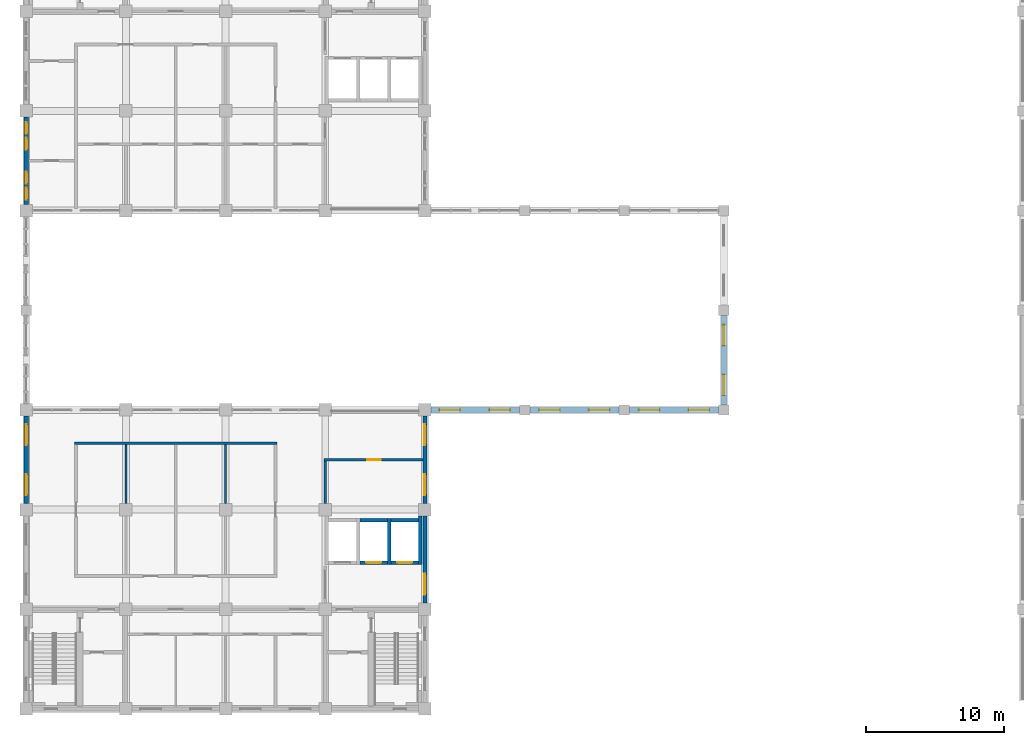
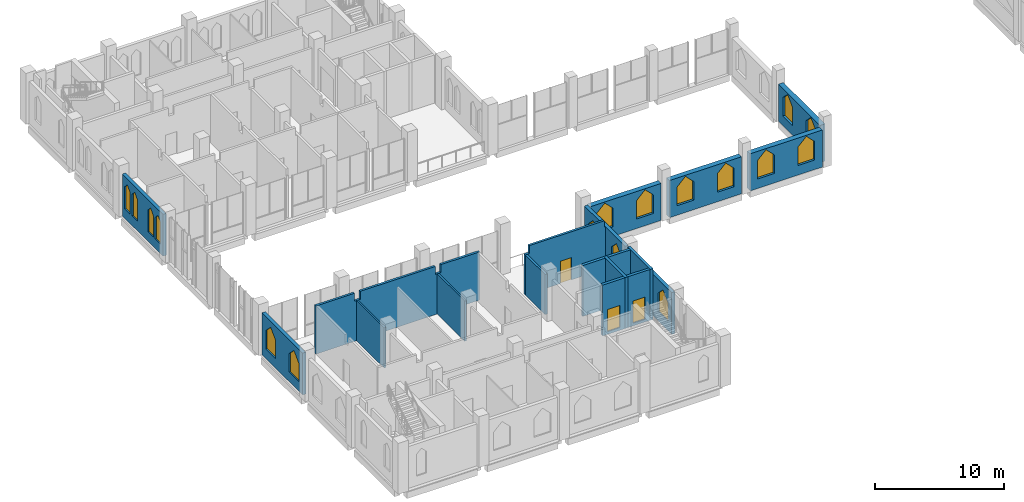
# One storey, part 29 of 39: 19 walls, 17 windows, 3 doors, 20 openings.
"""IFC4 building model written with IfcOpenShell, lengths in metres."""

from ifc_helpers import new_model, si_unit, direction, frame, frame_2d, origin, place, context, subcontext, project, spatial, polyline, rectangle, outline, extrude, material, layer, layer_set, type_object, element, fill, save


model = new_model("IFC4")

# Units and contexts
model_context = context("Model", 3, precision=1e-05, world=origin(), true_north=direction((0.0, 1.0)))
body_context = subcontext(model_context, "Body", "Model", "MODEL_VIEW")
ifc_project = project(units=[si_unit("LENGTHUNIT", "METRE"), si_unit("AREAUNIT", "SQUARE_METRE"), si_unit("VOLUMEUNIT", "CUBIC_METRE"), si_unit("PLANEANGLEUNIT", "RADIAN"), si_unit("MASSUNIT", "GRAM", prefix="KILO")], contexts=[model_context])

# Site, building, storey
site_placement = place(None, origin())
site = spatial("IfcSite", under=ifc_project, at=site_placement, CompositionType="ELEMENT")
building_placement = place(site_placement, origin())
building = spatial("IfcBuilding", under=site, at=building_placement, Name="Silangan Lancet Faculty of Sciences", CompositionType="ELEMENT")
storey_placement = place(building_placement, frame((0.0, 0.0, 26.39990234375)))
storey = spatial("IfcBuildingStorey", under=building, at=storey_placement, Name="L05", CompositionType="ELEMENT", Elevation=26.39990234375)

# Wall, openings, windows
ifc_material_1 = material(Name="Concrete C40/50 precast", Category="concrete")
ifc_layer_1 = layer(ifc_material_1, 0.300048828125)
ifc_layer_set_1 = layer_set([ifc_layer_1], Name="Concrete C40/50 precast")
wall_type_1 = type_object("IfcWallType", Name="EW1 Precast cladding wall", PredefinedType="STANDARD", material=ifc_layer_set_1)
wall_1_placement = place(storey_placement, frame((0.0, 14.85009765625, 0.0), z_axis=(0.0, 0.0, 1.0), x_axis=(0.0, 1.0, 0.0)))
wall_1 = element("IfcWall", 1, at=wall_1_placement, inside=storey, type_object=wall_type_1, Name="EW-L05-W-ST-02", PredefinedType="STANDARD", context=body_context, shape_type="SweptSolid", body=[
    extrude(rectangle(XDim=6.2998046875, YDim=0.300048828125, at=frame_2d((3.14990234375, 0.0))), origin(), (0.0, 0.0, 1.0), 3.9501953125),
])
opening_1_placement = place(wall_1_placement, frame((0.60009765625, 0.0, 0.89990234375)))
opening_1 = element("IfcOpeningElement", 2, at=opening_1_placement, cuts=wall_1, Name="Opening W12", PredefinedType="OPENING", context=body_context, shape_type="SweptSolid", body=[
    extrude(outline(polyline([(0.0, 0.0), (1.5, 0.0), (1.5, 1.75), (0.75, 2.5), (0.0, 1.75), (0.0, 0.0)])), frame((0.0, 0.159912109375, 0.0), z_axis=(0.0, -1.0, 0.0), x_axis=(1.0, 0.0, 0.0)), (0.0, 0.0, 1.0), 0.320068359375),
])
opening_2_placement = place(wall_1_placement, frame((4.199951171875, 0.0, 0.89990234375)))
opening_2 = element("IfcOpeningElement", 3, at=opening_2_placement, cuts=wall_1, Name="Opening W12", PredefinedType="OPENING", context=body_context, shape_type="SweptSolid", body=[
    extrude(outline(polyline([(0.0, 0.0), (1.5, 0.0), (1.5, 1.75), (0.75, 2.5), (0.0, 1.75), (0.0, 0.0)])), frame((0.0, 0.159912109375, 0.0), z_axis=(0.0, -1.0, 0.0), x_axis=(1.0, 0.0, 0.0)), (0.0, 0.0, 1.0), 0.320068359375),
])
ifc_material_2 = material(Name="Aluminium frame, laminated double glazing", Category="aluminium")
window_type_1 = type_object("IfcWindowType", Name="W12 Lancet window 1500 x 2500", PartitioningType="SINGLE_PANEL", PredefinedType="WINDOW", material=ifc_material_2)
window_1_placement = place(opening_1_placement, origin())
window_1 = element("IfcWindow", 4, at=window_1_placement, inside=storey, type_object=window_type_1, Name="WIN-L05-W-ST-02a", OverallHeight=2.5, OverallWidth=1.5, PartitioningType="SINGLE_PANEL", PredefinedType="WINDOW", context=body_context, shape_type="SweptSolid", body=[
    extrude(outline(polyline([(0.0, 0.0), (1.5, 0.0), (1.5, 1.75), (0.75, 2.5), (0.0, 1.75), (0.0, 0.0)])), frame((0.0, 0.030029296875, 0.0), z_axis=(0.0, -1.0, 0.0), x_axis=(1.0, 0.0, 0.0)), (0.0, 0.0, 1.0), 0.06005859375),
])
fill(opening_1, window_1)
window_2_placement = place(opening_2_placement, origin())
window_2 = element("IfcWindow", 5, at=window_2_placement, inside=storey, type_object=window_type_1, Name="WIN-L05-W-ST-02b", OverallHeight=2.5, OverallWidth=1.5, PartitioningType="SINGLE_PANEL", PredefinedType="WINDOW", context=body_context, shape_type="SweptSolid", body=[
    extrude(outline(polyline([(0.0, 0.0), (1.5, 0.0), (1.5, 1.75), (0.75, 2.5), (0.0, 1.75), (0.0, 0.0)])), frame((0.0, 0.030029296875, 0.0), z_axis=(0.0, -1.0, 0.0), x_axis=(1.0, 0.0, 0.0)), (0.0, 0.0, 1.0), 0.06005859375),
])
fill(opening_2, window_2)

wall_2_placement = place(storey_placement, frame((0.0, 36.449951171875, 0.0), z_axis=(0.0, 0.0, 1.0), x_axis=(0.0, 1.0, 0.0)))
wall_2 = element("IfcWall", 6, at=wall_2_placement, inside=storey, type_object=wall_type_1, Name="EW-L05-W-NT-00", PredefinedType="STANDARD", context=body_context, shape_type="SweptSolid", body=[
    extrude(rectangle(XDim=6.300048828125, YDim=0.300048828125, at=frame_2d((3.14990234375, 0.0))), origin(), (0.0, 0.0, 1.0), 3.9501953125),
])
opening_3_placement = place(wall_2_placement, frame((0.35009765625, 0.0, 0.89990234375)))
opening_3 = element("IfcOpeningElement", 7, at=opening_3_placement, cuts=wall_2, Name="Opening W14", PredefinedType="OPENING", context=body_context, shape_type="SweptSolid", body=[
    extrude(outline(polyline([(0.0, 0.0), (0.85009765625, 0.0), (0.85009765625, 2.050048828125), (0.425048828125, 2.5), (0.0, 2.050048828125), (0.0, 0.0)])), frame((0.0, 0.159912109375, 0.0), z_axis=(0.0, -1.0, 0.0), x_axis=(1.0, 0.0, 0.0)), (0.0, 0.0, 1.0), 0.320068359375),
])
opening_4_placement = place(wall_2_placement, frame((1.5, 0.0, 0.89990234375)))
opening_4 = element("IfcOpeningElement", 8, at=opening_4_placement, cuts=wall_2, Name="Opening W14", PredefinedType="OPENING", context=body_context, shape_type="SweptSolid", body=[
    extrude(outline(polyline([(0.0, 0.0), (0.85009765625, 0.0), (0.85009765625, 2.050048828125), (0.425048828125, 2.5), (0.0, 2.050048828125), (0.0, 0.0)])), frame((0.0, 0.159912109375, 0.0), z_axis=(0.0, -1.0, 0.0), x_axis=(1.0, 0.0, 0.0)), (0.0, 0.0, 1.0), 0.320068359375),
])
opening_5_placement = place(wall_2_placement, frame((3.949951171875, 0.0, 0.89990234375)))
opening_5 = element("IfcOpeningElement", 9, at=opening_5_placement, cuts=wall_2, Name="Opening W14", PredefinedType="OPENING", context=body_context, shape_type="SweptSolid", body=[
    extrude(outline(polyline([(0.0, 0.0), (0.85009765625, 0.0), (0.85009765625, 2.050048828125), (0.425048828125, 2.5), (0.0, 2.050048828125), (0.0, 0.0)])), frame((0.0, 0.159912109375, 0.0), z_axis=(0.0, -1.0, 0.0), x_axis=(1.0, 0.0, 0.0)), (0.0, 0.0, 1.0), 0.320068359375),
])
opening_6_placement = place(wall_2_placement, frame((5.10009765625, 0.0, 0.89990234375)))
opening_6 = element("IfcOpeningElement", 10, at=opening_6_placement, cuts=wall_2, Name="Opening W14", PredefinedType="OPENING", context=body_context, shape_type="SweptSolid", body=[
    extrude(outline(polyline([(0.0, 0.0), (0.85009765625, 0.0), (0.85009765625, 2.050048828125), (0.425048828125, 2.5), (0.0, 2.050048828125), (0.0, 0.0)])), frame((0.0, 0.159912109375, 0.0), z_axis=(0.0, -1.0, 0.0), x_axis=(1.0, 0.0, 0.0)), (0.0, 0.0, 1.0), 0.320068359375),
])
ifc_material_3 = material(Name="Aluminium frame, laminated double glazing", Category="aluminium")
window_type_2 = type_object("IfcWindowType", Name="W14 Lancet window 850 x 2500", PartitioningType="SINGLE_PANEL", PredefinedType="WINDOW", material=ifc_material_3)
window_3_placement = place(opening_3_placement, origin())
window_3 = element("IfcWindow", 11, at=window_3_placement, inside=storey, type_object=window_type_2, Name="WIN-L05-W-NT-00a1", OverallHeight=2.5, OverallWidth=0.85009765625, PartitioningType="SINGLE_PANEL", PredefinedType="WINDOW", context=body_context, shape_type="SweptSolid", body=[
    extrude(outline(polyline([(0.0, 0.0), (0.85009765625, 0.0), (0.85009765625, 2.050048828125), (0.425048828125, 2.5), (0.0, 2.050048828125), (0.0, 0.0)])), frame((0.0, 0.030029296875, 0.0), z_axis=(0.0, -1.0, 0.0), x_axis=(1.0, 0.0, 0.0)), (0.0, 0.0, 1.0), 0.06005859375),
])
fill(opening_3, window_3)
window_4_placement = place(opening_4_placement, origin())
window_4 = element("IfcWindow", 12, at=window_4_placement, inside=storey, type_object=window_type_2, Name="WIN-L05-W-NT-00a2", OverallHeight=2.5, OverallWidth=0.85009765625, PartitioningType="SINGLE_PANEL", PredefinedType="WINDOW", context=body_context, shape_type="SweptSolid", body=[
    extrude(outline(polyline([(0.0, 0.0), (0.85009765625, 0.0), (0.85009765625, 2.050048828125), (0.425048828125, 2.5), (0.0, 2.050048828125), (0.0, 0.0)])), frame((0.0, 0.030029296875, 0.0), z_axis=(0.0, -1.0, 0.0), x_axis=(1.0, 0.0, 0.0)), (0.0, 0.0, 1.0), 0.06005859375),
])
fill(opening_4, window_4)
window_5_placement = place(opening_5_placement, origin())
window_5 = element("IfcWindow", 13, at=window_5_placement, inside=storey, type_object=window_type_2, Name="WIN-L05-W-NT-00b1", OverallHeight=2.5, OverallWidth=0.85009765625, PartitioningType="SINGLE_PANEL", PredefinedType="WINDOW", context=body_context, shape_type="SweptSolid", body=[
    extrude(outline(polyline([(0.0, 0.0), (0.85009765625, 0.0), (0.85009765625, 2.050048828125), (0.425048828125, 2.5), (0.0, 2.050048828125), (0.0, 0.0)])), frame((0.0, 0.030029296875, 0.0), z_axis=(0.0, -1.0, 0.0), x_axis=(1.0, 0.0, 0.0)), (0.0, 0.0, 1.0), 0.06005859375),
])
fill(opening_5, window_5)
window_6_placement = place(opening_6_placement, origin())
window_6 = element("IfcWindow", 14, at=window_6_placement, inside=storey, type_object=window_type_2, Name="WIN-L05-W-NT-00b2", OverallHeight=2.5, OverallWidth=0.85009765625, PartitioningType="SINGLE_PANEL", PredefinedType="WINDOW", context=body_context, shape_type="SweptSolid", body=[
    extrude(outline(polyline([(0.0, 0.0), (0.85009765625, 0.0), (0.85009765625, 2.050048828125), (0.425048828125, 2.5), (0.0, 2.050048828125), (0.0, 0.0)])), frame((0.0, 0.030029296875, 0.0), z_axis=(0.0, -1.0, 0.0), x_axis=(1.0, 0.0, 0.0)), (0.0, 0.0, 1.0), 0.06005859375),
])
fill(opening_6, window_6)

# Wall, opening, window
wall_3_placement = place(storey_placement, frame((28.800048828125, 7.64990234375, 0.0), z_axis=(0.0, 0.0, 1.0), x_axis=(0.0, 1.0, 0.0)))
wall_3 = element("IfcWall", 15, at=wall_3_placement, inside=storey, type_object=wall_type_1, Name="EW-L05-E-ST-01", PredefinedType="STANDARD", context=body_context, shape_type="SweptSolid", body=[
    extrude(rectangle(XDim=6.300048828125, YDim=0.300048828125, at=frame_2d((3.14990234375, 0.0))), origin(), (0.0, 0.0, 1.0), 3.9501953125),
])
opening_7_placement = place(wall_3_placement, frame((0.60009765625, 0.0, 0.89990234375)))
opening_7 = element("IfcOpeningElement", 16, at=opening_7_placement, cuts=wall_3, Name="Opening W12", PredefinedType="OPENING", context=body_context, shape_type="SweptSolid", body=[
    extrude(outline(polyline([(0.0, 0.0), (1.5, 0.0), (1.5, 1.75), (0.75, 2.5), (0.0, 1.75), (0.0, 0.0)])), frame((0.0, 0.159912109375, 0.0), z_axis=(0.0, -1.0, 0.0), x_axis=(1.0, 0.0, 0.0)), (0.0, 0.0, 1.0), 0.320068359375),
])
window_7_placement = place(opening_7_placement, origin())
window_7 = element("IfcWindow", 17, at=window_7_placement, inside=storey, type_object=window_type_1, Name="WIN-L05-E-ST-01a", OverallHeight=2.5, OverallWidth=1.5, PartitioningType="SINGLE_PANEL", PredefinedType="WINDOW", context=body_context, shape_type="SweptSolid", body=[
    extrude(outline(polyline([(0.0, 0.0), (1.5, 0.0), (1.5, 1.75), (0.75, 2.5), (0.0, 1.75), (0.0, 0.0)])), frame((0.0, 0.030029296875, 0.0), z_axis=(0.0, -1.0, 0.0), x_axis=(1.0, 0.0, 0.0)), (0.0, 0.0, 1.0), 0.06005859375),
])
fill(opening_7, window_7)

# Wall, openings, windows
wall_4_placement = place(storey_placement, frame((28.800048828125, 14.85009765625, 0.0), z_axis=(0.0, 0.0, 1.0), x_axis=(0.0, 1.0, 0.0)))
wall_4 = element("IfcWall", 18, at=wall_4_placement, inside=storey, type_object=wall_type_1, Name="EW-L05-E-ST-02", PredefinedType="STANDARD", context=body_context, shape_type="SweptSolid", body=[
    extrude(rectangle(XDim=6.2998046875, YDim=0.300048828125, at=frame_2d((3.14990234375, 0.0))), origin(), (0.0, 0.0, 1.0), 3.9501953125),
])
opening_8_placement = place(wall_4_placement, frame((0.60009765625, 0.0, 0.89990234375)))
opening_8 = element("IfcOpeningElement", 19, at=opening_8_placement, cuts=wall_4, Name="Opening W12", PredefinedType="OPENING", context=body_context, shape_type="SweptSolid", body=[
    extrude(outline(polyline([(0.0, 0.0), (1.5, 0.0), (1.5, 1.75), (0.75, 2.5), (0.0, 1.75), (0.0, 0.0)])), frame((0.0, 0.159912109375, 0.0), z_axis=(0.0, -1.0, 0.0), x_axis=(1.0, 0.0, 0.0)), (0.0, 0.0, 1.0), 0.320068359375),
])
opening_9_placement = place(wall_4_placement, frame((4.199951171875, 0.0, 0.89990234375)))
opening_9 = element("IfcOpeningElement", 20, at=opening_9_placement, cuts=wall_4, Name="Opening W12", PredefinedType="OPENING", context=body_context, shape_type="SweptSolid", body=[
    extrude(outline(polyline([(0.0, 0.0), (1.5, 0.0), (1.5, 1.75), (0.75, 2.5), (0.0, 1.75), (0.0, 0.0)])), frame((0.0, 0.159912109375, 0.0), z_axis=(0.0, -1.0, 0.0), x_axis=(1.0, 0.0, 0.0)), (0.0, 0.0, 1.0), 0.320068359375),
])
window_8_placement = place(opening_8_placement, origin())
window_8 = element("IfcWindow", 21, at=window_8_placement, inside=storey, type_object=window_type_1, Name="WIN-L05-E-ST-02a", OverallHeight=2.5, OverallWidth=1.5, PartitioningType="SINGLE_PANEL", PredefinedType="WINDOW", context=body_context, shape_type="SweptSolid", body=[
    extrude(outline(polyline([(0.0, 0.0), (1.5, 0.0), (1.5, 1.75), (0.75, 2.5), (0.0, 1.75), (0.0, 0.0)])), frame((0.0, 0.030029296875, 0.0), z_axis=(0.0, -1.0, 0.0), x_axis=(1.0, 0.0, 0.0)), (0.0, 0.0, 1.0), 0.06005859375),
])
fill(opening_8, window_8)
window_9_placement = place(opening_9_placement, origin())
window_9 = element("IfcWindow", 22, at=window_9_placement, inside=storey, type_object=window_type_1, Name="WIN-L05-E-ST-02b", OverallHeight=2.5, OverallWidth=1.5, PartitioningType="SINGLE_PANEL", PredefinedType="WINDOW", context=body_context, shape_type="SweptSolid", body=[
    extrude(outline(polyline([(0.0, 0.0), (1.5, 0.0), (1.5, 1.75), (0.75, 2.5), (0.0, 1.75), (0.0, 0.0)])), frame((0.0, 0.030029296875, 0.0), z_axis=(0.0, -1.0, 0.0), x_axis=(1.0, 0.0, 0.0)), (0.0, 0.0, 1.0), 0.06005859375),
])
fill(opening_9, window_9)

ifc_material_4 = material(Name="Concrete C40/50", Category="concrete")
ifc_layer_2 = layer(ifc_material_4, 0.449951171875)
ifc_layer_set_2 = layer_set([ifc_layer_2], Name="Concrete C40/50")
wall_type_2 = type_object("IfcWallType", Name="EW8 Clerestory wall with deep reveals", PredefinedType="STANDARD", material=ifc_layer_set_2)
wall_5_placement = place(storey_placement, frame((29.25, 21.60009765625, 0.0), z_axis=(0.0, 0.0, 1.0), x_axis=(1.0, 0.0, 0.0)))
wall_5 = element("IfcWall", 23, at=wall_5_placement, inside=storey, type_object=wall_type_2, Name="EW-L05-S-NAVE-CL-00", PredefinedType="STANDARD", context=body_context, shape_type="SweptSolid", body=[
    extrude(rectangle(XDim=6.375, YDim=0.449951171875, at=frame_2d((3.1875, 0.0))), origin(), (0.0, 0.0, 1.0), 3.5),
])
opening_10_placement = place(wall_5_placement, frame((0.60009765625, 0.0, 0.89990234375)))
opening_10 = element("IfcOpeningElement", 24, at=opening_10_placement, cuts=wall_5, Name="Opening W12", PredefinedType="OPENING", context=body_context, shape_type="SweptSolid", body=[
    extrude(outline(polyline([(0.0, 0.0), (1.5, 0.0), (1.5, 1.75), (0.75, 2.5), (0.0, 1.75), (0.0, 0.0)])), frame((0.0, 0.23486328125, 0.0), z_axis=(0.0, -1.0, 0.0), x_axis=(1.0, 0.0, 0.0)), (0.0, 0.0, 1.0), 0.469970703125),
])
opening_11_placement = place(wall_5_placement, frame((4.199951171875, 0.0, 0.89990234375)))
opening_11 = element("IfcOpeningElement", 25, at=opening_11_placement, cuts=wall_5, Name="Opening W13", PredefinedType="OPENING", context=body_context, shape_type="SweptSolid", body=[
    extrude(outline(polyline([(0.0, 0.0), (1.5, 0.0), (1.5, 1.75), (0.75, 2.5), (0.0, 1.75), (0.0, 0.0)])), frame((0.0, 0.23486328125, 0.0), z_axis=(0.0, -1.0, 0.0), x_axis=(1.0, 0.0, 0.0)), (0.0, 0.0, 1.0), 0.469970703125),
])
window_10_placement = place(opening_10_placement, origin())
window_10 = element("IfcWindow", 26, at=window_10_placement, inside=storey, type_object=window_type_1, Name="WIN-L05-S-NAVE-CL-00a", OverallHeight=2.5, OverallWidth=1.5, PartitioningType="SINGLE_PANEL", PredefinedType="WINDOW", context=body_context, shape_type="SweptSolid", body=[
    extrude(outline(polyline([(0.0, 0.0), (1.5, 0.0), (1.5, 1.75), (0.75, 2.5), (0.0, 1.75), (0.0, 0.0)])), frame((0.0, 0.030029296875, 0.0), z_axis=(0.0, -1.0, 0.0), x_axis=(1.0, 0.0, 0.0)), (0.0, 0.0, 1.0), 0.06005859375),
])
fill(opening_10, window_10)
ifc_material_5 = material(Name="Aluminium storm louvre blades", Category="aluminium")
window_type_3 = type_object("IfcWindowType", Name="W13 Storm louvre lancet 1500 x 2500", PartitioningType="SINGLE_PANEL", PredefinedType="WINDOW", material=ifc_material_5)
window_11_placement = place(opening_11_placement, origin())
window_11 = element("IfcWindow", 27, at=window_11_placement, inside=storey, type_object=window_type_3, Name="WIN-L05-S-NAVE-CL-00b", OverallHeight=2.5, OverallWidth=1.5, PartitioningType="SINGLE_PANEL", PredefinedType="WINDOW", context=body_context, shape_type="SweptSolid", body=[
    extrude(outline(polyline([(0.0, 0.0), (1.5, 0.0), (1.5, 1.75), (0.75, 2.5), (0.0, 1.75), (0.0, 0.0)])), frame((0.0, 0.030029296875, 0.0), z_axis=(0.0, -1.0, 0.0), x_axis=(1.0, 0.0, 0.0)), (0.0, 0.0, 1.0), 0.06005859375),
])
fill(opening_11, window_11)

wall_6_placement = place(storey_placement, frame((36.375, 21.60009765625, 0.0), z_axis=(0.0, 0.0, 1.0), x_axis=(1.0, 0.0, 0.0)))
wall_6 = element("IfcWall", 28, at=wall_6_placement, inside=storey, type_object=wall_type_2, Name="EW-L05-S-NAVE-CL-01", PredefinedType="STANDARD", context=body_context, shape_type="SweptSolid", body=[
    extrude(rectangle(XDim=6.449951171875, YDim=0.449951171875, at=frame_2d((3.22509765625, 0.0))), origin(), (0.0, 0.0, 1.0), 3.5),
])
opening_12_placement = place(wall_6_placement, frame((0.675048828125, 0.0, 0.89990234375)))
opening_12 = element("IfcOpeningElement", 29, at=opening_12_placement, cuts=wall_6, Name="Opening W12", PredefinedType="OPENING", context=body_context, shape_type="SweptSolid", body=[
    extrude(outline(polyline([(0.0, 0.0), (1.5, 0.0), (1.5, 1.75), (0.75, 2.5), (0.0, 1.75), (0.0, 0.0)])), frame((0.0, 0.23486328125, 0.0), z_axis=(0.0, -1.0, 0.0), x_axis=(1.0, 0.0, 0.0)), (0.0, 0.0, 1.0), 0.469970703125),
])
opening_13_placement = place(wall_6_placement, frame((4.27490234375, 0.0, 0.89990234375)))
opening_13 = element("IfcOpeningElement", 30, at=opening_13_placement, cuts=wall_6, Name="Opening W13", PredefinedType="OPENING", context=body_context, shape_type="SweptSolid", body=[
    extrude(outline(polyline([(0.0, 0.0), (1.5, 0.0), (1.5, 1.75), (0.75, 2.5), (0.0, 1.75), (0.0, 0.0)])), frame((0.0, 0.23486328125, 0.0), z_axis=(0.0, -1.0, 0.0), x_axis=(1.0, 0.0, 0.0)), (0.0, 0.0, 1.0), 0.469970703125),
])
window_12_placement = place(opening_12_placement, origin())
window_12 = element("IfcWindow", 31, at=window_12_placement, inside=storey, type_object=window_type_1, Name="WIN-L05-S-NAVE-CL-01a", OverallHeight=2.5, OverallWidth=1.5, PartitioningType="SINGLE_PANEL", PredefinedType="WINDOW", context=body_context, shape_type="SweptSolid", body=[
    extrude(outline(polyline([(0.0, 0.0), (1.5, 0.0), (1.5, 1.75), (0.75, 2.5), (0.0, 1.75), (0.0, 0.0)])), frame((0.0, 0.030029296875, 0.0), z_axis=(0.0, -1.0, 0.0), x_axis=(1.0, 0.0, 0.0)), (0.0, 0.0, 1.0), 0.06005859375),
])
fill(opening_12, window_12)
window_13_placement = place(opening_13_placement, origin())
window_13 = element("IfcWindow", 32, at=window_13_placement, inside=storey, type_object=window_type_3, Name="WIN-L05-S-NAVE-CL-01b", OverallHeight=2.5, OverallWidth=1.5, PartitioningType="SINGLE_PANEL", PredefinedType="WINDOW", context=body_context, shape_type="SweptSolid", body=[
    extrude(outline(polyline([(0.0, 0.0), (1.5, 0.0), (1.5, 1.75), (0.75, 2.5), (0.0, 1.75), (0.0, 0.0)])), frame((0.0, 0.030029296875, 0.0), z_axis=(0.0, -1.0, 0.0), x_axis=(1.0, 0.0, 0.0)), (0.0, 0.0, 1.0), 0.06005859375),
])
fill(opening_13, window_13)

wall_7_placement = place(storey_placement, frame((43.574951171875, 21.60009765625, 0.0), z_axis=(0.0, 0.0, 1.0), x_axis=(1.0, 0.0, 0.0)))
wall_7 = element("IfcWall", 33, at=wall_7_placement, inside=storey, type_object=wall_type_2, Name="EW-L05-S-NAVE-CL-02", PredefinedType="STANDARD", context=body_context, shape_type="SweptSolid", body=[
    extrude(rectangle(XDim=6.449951171875, YDim=0.449951171875, at=frame_2d((3.22509765625, 0.0))), origin(), (0.0, 0.0, 1.0), 3.5),
])
opening_14_placement = place(wall_7_placement, frame((0.675048828125, 0.0, 0.89990234375)))
opening_14 = element("IfcOpeningElement", 34, at=opening_14_placement, cuts=wall_7, Name="Opening W12", PredefinedType="OPENING", context=body_context, shape_type="SweptSolid", body=[
    extrude(outline(polyline([(0.0, 0.0), (1.5, 0.0), (1.5, 1.75), (0.75, 2.5), (0.0, 1.75), (0.0, 0.0)])), frame((0.0, 0.23486328125, 0.0), z_axis=(0.0, -1.0, 0.0), x_axis=(1.0, 0.0, 0.0)), (0.0, 0.0, 1.0), 0.469970703125),
])
opening_15_placement = place(wall_7_placement, frame((4.27490234375, 0.0, 0.89990234375)))
opening_15 = element("IfcOpeningElement", 35, at=opening_15_placement, cuts=wall_7, Name="Opening W13", PredefinedType="OPENING", context=body_context, shape_type="SweptSolid", body=[
    extrude(outline(polyline([(0.0, 0.0), (1.5, 0.0), (1.5, 1.75), (0.75, 2.5), (0.0, 1.75), (0.0, 0.0)])), frame((0.0, 0.23486328125, 0.0), z_axis=(0.0, -1.0, 0.0), x_axis=(1.0, 0.0, 0.0)), (0.0, 0.0, 1.0), 0.469970703125),
])
window_14_placement = place(opening_14_placement, origin())
window_14 = element("IfcWindow", 36, at=window_14_placement, inside=storey, type_object=window_type_1, Name="WIN-L05-S-NAVE-CL-02a", OverallHeight=2.5, OverallWidth=1.5, PartitioningType="SINGLE_PANEL", PredefinedType="WINDOW", context=body_context, shape_type="SweptSolid", body=[
    extrude(outline(polyline([(0.0, 0.0), (1.5, 0.0), (1.5, 1.75), (0.75, 2.5), (0.0, 1.75), (0.0, 0.0)])), frame((0.0, 0.030029296875, 0.0), z_axis=(0.0, -1.0, 0.0), x_axis=(1.0, 0.0, 0.0)), (0.0, 0.0, 1.0), 0.06005859375),
])
fill(opening_14, window_14)
window_15_placement = place(opening_15_placement, origin())
window_15 = element("IfcWindow", 37, at=window_15_placement, inside=storey, type_object=window_type_3, Name="WIN-L05-S-NAVE-CL-02b", OverallHeight=2.5, OverallWidth=1.5, PartitioningType="SINGLE_PANEL", PredefinedType="WINDOW", context=body_context, shape_type="SweptSolid", body=[
    extrude(outline(polyline([(0.0, 0.0), (1.5, 0.0), (1.5, 1.75), (0.75, 2.5), (0.0, 1.75), (0.0, 0.0)])), frame((0.0, 0.030029296875, 0.0), z_axis=(0.0, -1.0, 0.0), x_axis=(1.0, 0.0, 0.0)), (0.0, 0.0, 1.0), 0.06005859375),
])
fill(opening_15, window_15)

wall_8_placement = place(storey_placement, frame((50.39990234375, 21.97509765625, 0.0), z_axis=(0.0, 0.0, 1.0), x_axis=(0.0, 1.0, 0.0)))
wall_8 = element("IfcWall", 38, at=wall_8_placement, inside=storey, type_object=wall_type_2, Name="EW-L05-E-NAVE-00", PredefinedType="STANDARD", context=body_context, shape_type="SweptSolid", body=[
    extrude(rectangle(XDim=6.449951171875, YDim=0.449951171875, at=frame_2d((3.22509765625, 0.0))), origin(), (0.0, 0.0, 1.0), 3.5),
])
opening_16_placement = place(wall_8_placement, frame((0.675048828125, 0.0, 0.89990234375)))
opening_16 = element("IfcOpeningElement", 39, at=opening_16_placement, cuts=wall_8, Name="Opening W12", PredefinedType="OPENING", context=body_context, shape_type="SweptSolid", body=[
    extrude(outline(polyline([(0.0, 0.0), (1.5, 0.0), (1.5, 1.75), (0.75, 2.5), (0.0, 1.75), (0.0, 0.0)])), frame((0.0, 0.23486328125, 0.0), z_axis=(0.0, -1.0, 0.0), x_axis=(1.0, 0.0, 0.0)), (0.0, 0.0, 1.0), 0.469970703125),
])
opening_17_placement = place(wall_8_placement, frame((4.27490234375, 0.0, 0.89990234375)))
opening_17 = element("IfcOpeningElement", 40, at=opening_17_placement, cuts=wall_8, Name="Opening W13", PredefinedType="OPENING", context=body_context, shape_type="SweptSolid", body=[
    extrude(outline(polyline([(0.0, 0.0), (1.5, 0.0), (1.5, 1.75), (0.75, 2.5), (0.0, 1.75), (0.0, 0.0)])), frame((0.0, 0.23486328125, 0.0), z_axis=(0.0, -1.0, 0.0), x_axis=(1.0, 0.0, 0.0)), (0.0, 0.0, 1.0), 0.469970703125),
])
window_16_placement = place(opening_16_placement, origin())
window_16 = element("IfcWindow", 41, at=window_16_placement, inside=storey, type_object=window_type_1, Name="WIN-L05-E-NAVE-00a", OverallHeight=2.5, OverallWidth=1.5, PartitioningType="SINGLE_PANEL", PredefinedType="WINDOW", context=body_context, shape_type="SweptSolid", body=[
    extrude(outline(polyline([(0.0, 0.0), (1.5, 0.0), (1.5, 1.75), (0.75, 2.5), (0.0, 1.75), (0.0, 0.0)])), frame((0.0, 0.030029296875, 0.0), z_axis=(0.0, -1.0, 0.0), x_axis=(1.0, 0.0, 0.0)), (0.0, 0.0, 1.0), 0.06005859375),
])
fill(opening_16, window_16)
window_17_placement = place(opening_17_placement, origin())
window_17 = element("IfcWindow", 42, at=window_17_placement, inside=storey, type_object=window_type_3, Name="WIN-L05-E-NAVE-00b", OverallHeight=2.5, OverallWidth=1.5, PartitioningType="SINGLE_PANEL", PredefinedType="WINDOW", context=body_context, shape_type="SweptSolid", body=[
    extrude(outline(polyline([(0.0, 0.0), (1.5, 0.0), (1.5, 1.75), (0.75, 2.5), (0.0, 1.75), (0.0, 0.0)])), frame((0.0, 0.030029296875, 0.0), z_axis=(0.0, -1.0, 0.0), x_axis=(1.0, 0.0, 0.0)), (0.0, 0.0, 1.0), 0.06005859375),
])
fill(opening_17, window_17)

# Wall, opening, door
ifc_material_6 = material(Name="Hollow block masonry fm 7 MPa", Category="masonry")
ifc_layer_3 = layer(ifc_material_6, 0.199951171875)
ifc_layer_set_3 = layer_set([ifc_layer_3], Name="Hollow block masonry fm 7 MPa")
wall_type_3 = type_object("IfcWallType", Name="Interior wall PW1 Corridor wall CHB 200", PredefinedType="PARTITIONING", material=ifc_layer_set_3)
wall_9_placement = place(storey_placement, frame((21.5, 18.0, 0.0), z_axis=(0.0, 0.0, 1.0), x_axis=(1.0, 0.0, 0.0)))
wall_9 = element("IfcWall", 43, at=wall_9_placement, inside=storey, type_object=wall_type_3, Name="Corridor wall CHB 200", PredefinedType="PARTITIONING", context=body_context, shape_type="SweptSolid", body=[
    extrude(outline(polyline([(0.0, 0.0), (7.14990234375, 0.0), (7.14990234375, 3.9501953125), (7.050048828125, 3.9501953125), (7.050048828125, 4.550048828125), (0.35009765625, 4.550048828125), (0.35009765625, 3.800048828125), (0.0, 3.800048828125), (0.0, 0.0)])), frame((0.0, 0.10009765625, 0.0), z_axis=(0.0, -1.0, 0.0), x_axis=(1.0, 0.0, 0.0)), (0.0, 0.0, 1.0), 0.199951171875),
])
opening_18_placement = place(wall_9_placement, frame((3.125, 0.0, 0.0)))
opening_18 = element("IfcOpeningElement", 44, at=opening_18_placement, cuts=wall_9, Name="Opening L05-017", PredefinedType="OPENING", context=body_context, shape_type="SweptSolid", body=[
    extrude(rectangle(XDim=1.0, YDim=2.10009765625, at=frame_2d((0.5, 1.050048828125))), frame((0.0, 0.10986328125, 0.0), z_axis=(0.0, -1.0, 0.0), x_axis=(1.0, 0.0, 0.0)), (0.0, 0.0, 1.0), 0.219970703125),
])
ifc_material_7 = material(Name="Steel fire door set", Category="steel")
door_type_1 = type_object("IfcDoorType", Name="Door D1 Single leaf fire door 1000 x 2100", OperationType="SINGLE_SWING_LEFT", PredefinedType="DOOR", material=ifc_material_7)
door_1_placement = place(opening_18_placement, frame((1.0, 0.0, 0.0), z_axis=(0.0, 0.0, 1.0), x_axis=(-1.0, 0.0, 0.0)))
door_1 = element("IfcDoor", 45, at=door_1_placement, inside=storey, type_object=door_type_1, Name="Single leaf fire door 1000 x 2100", OperationType="SINGLE_SWING_LEFT", OverallHeight=2.10009765625, OverallWidth=1.0, PredefinedType="DOOR", context=body_context, shape_type="SweptSolid", body=[
    extrude(rectangle(XDim=1.0, YDim=2.10009765625, at=frame_2d((0.5, 1.050048828125))), frame((0.0, 0.025146484375, 0.0), z_axis=(0.0, -1.0, 0.0), x_axis=(1.0, 0.0, 0.0)), (0.0, 0.0, 1.0), 0.050048828125),
])
fill(opening_18, door_1)

# Walls
wall_10_placement = place(storey_placement, frame((3.5, 19.199951171875, 0.0), z_axis=(0.0, 0.0, 1.0), x_axis=(1.0, 0.0, 0.0)))
element("IfcWall", 46, at=wall_10_placement, inside=storey, type_object=wall_type_3, Name="Corridor wall CHB 200", PredefinedType="PARTITIONING", context=body_context, shape_type="SweptSolid", body=[
    extrude(outline(polyline([(0.0, 0.0), (14.60009765625, 0.0), (14.60009765625, 4.550048828125), (11.14990234375, 4.550048828125), (11.14990234375, 3.800048828125), (10.64990234375, 3.800048828125), (10.64990234375, 4.550048828125), (3.949951171875, 4.550048828125), (3.949951171875, 3.800048828125), (3.449951171875, 3.800048828125), (3.449951171875, 4.550048828125), (0.0, 4.550048828125), (0.0, 0.0)])), frame((0.0, 0.10009765625, 0.0), z_axis=(0.0, -1.0, 0.0), x_axis=(1.0, 0.0, 0.0)), (0.0, 0.0, 1.0), 0.199951171875),
])
wall_11_placement = place(storey_placement, frame((21.60009765625, 14.85009765625, 0.0), z_axis=(0.0, 0.0, 1.0), x_axis=(0.0, 1.0, 0.0)))
element("IfcWall", 47, at=wall_11_placement, inside=storey, type_object=wall_type_3, Name="Corridor wall CHB 200", PredefinedType="PARTITIONING", context=body_context, shape_type="SweptSolid", body=[
    extrude(rectangle(XDim=3.0498046875, YDim=0.199951171875, at=frame_2d((1.52490234375, 0.0))), origin(), (0.0, 0.0, 1.0), 3.800048828125),
])
ifc_material_8 = material(Name="Hollow block masonry fm 7 MPa", Category="masonry")
ifc_layer_4 = layer(ifc_material_8, 0.14990234375)
ifc_layer_set_4 = layer_set([ifc_layer_4], Name="Hollow block masonry fm 7 MPa")
wall_type_4 = type_object("IfcWallType", Name="Interior wall PW3 Partition CHB 150", PredefinedType="PARTITIONING", material=ifc_layer_set_4)
for number, where, z_axis, x_axis, name in (
    (48, (7.199951171875, 14.85009765625, 0.0), (0.0, 0.0, 1.0), (0.0, 1.0, 0.0), "Partition CHB 150"),
    (49, (14.39990234375, 14.85009765625, 0.0), (0.0, 0.0, 1.0), (0.0, 1.0, 0.0), "Partition CHB 150"),
):
    element("IfcWall", number, at=place(storey_placement, frame(where, z_axis=z_axis, x_axis=x_axis)), inside=storey, type_object=wall_type_4, Name=name, PredefinedType="PARTITIONING", context=body_context, shape_type="SweptSolid", body=[
        extrude(rectangle(XDim=4.25, YDim=0.14990234375, at=frame_2d((2.125, 0.0))), origin(), (0.0, 0.0, 1.0), 3.800048828125),
    ])
ifc_material_9 = material(Name="Concrete C40/50", Category="concrete")
ifc_layer_5 = layer(ifc_material_9, 0.25)
ifc_layer_set_5 = layer_set([ifc_layer_5], Name="Concrete C40/50")
wall_type_5 = type_object("IfcWallType", Name="LIFT SHAFT WALL RC 250", PredefinedType="SHEAR", material=ifc_layer_set_5)
wall_12_placement = place(storey_placement, frame((26.22509765625, 10.449951171875, -0.25), z_axis=(0.0, 0.0, 1.0), x_axis=(0.0, 1.0, 0.0)))
element("IfcWall", 50, at=wall_12_placement, inside=storey, type_object=wall_type_5, Name="WALL-L05-ST-SW3", PredefinedType="SHEAR", context=body_context, shape_type="SweptSolid", body=[
    extrude(rectangle(XDim=3.300048828125, YDim=0.25, at=frame_2d((1.64990234375, 0.0))), origin(), (0.0, 0.0, 1.0), 4.800048828125),
])
wall_13_placement = place(storey_placement, frame((28.47509765625, 10.449951171875, -0.25), z_axis=(0.0, 0.0, 1.0), x_axis=(0.0, 1.0, 0.0)))
element("IfcWall", 51, at=wall_13_placement, inside=storey, type_object=wall_type_5, Name="WALL-L05-ST-SW4", PredefinedType="SHEAR", context=body_context, shape_type="SweptSolid", body=[
    extrude(rectangle(XDim=3.5, YDim=0.25, at=frame_2d((1.75, 0.0))), origin(), (0.0, 0.0, 1.0), 4.800048828125),
])

# Wall, opening, door
wall_14_placement = place(storey_placement, frame((24.10009765625, 10.574951171875, -0.25), z_axis=(0.0, 0.0, 1.0), x_axis=(1.0, 0.0, 0.0)))
wall_14 = element("IfcWall", 52, at=wall_14_placement, inside=storey, type_object=wall_type_5, Name="WALL-L05-ST-L2-F", PredefinedType="SHEAR", context=body_context, shape_type="SweptSolid", body=[
    extrude(rectangle(XDim=2.0, YDim=0.25, at=frame_2d((1.0, 0.0))), origin(), (0.0, 0.0, 1.0), 4.800048828125),
])
opening_19_placement = place(wall_14_placement, frame((0.449951171875, 0.0, 0.25)))
opening_19 = element("IfcOpeningElement", 53, at=opening_19_placement, cuts=wall_14, Name="Opening L05-808", PredefinedType="OPENING", context=body_context, shape_type="SweptSolid", body=[
    extrude(rectangle(XDim=1.10009765625, YDim=2.10009765625, at=frame_2d((0.550048828125, 1.050048828125))), frame((0.0, 0.135009765625, 0.0), z_axis=(0.0, -1.0, 0.0), x_axis=(1.0, 0.0, 0.0)), (0.0, 0.0, 1.0), 0.27001953125),
])
ifc_material_10 = material(Name="Stainless steel sliding door", Category="steel")
door_type_2 = type_object("IfcDoorType", Name="LD1 Lift landing door 1100x2100", OperationType="SLIDING_TO_LEFT", PredefinedType="DOOR", material=ifc_material_10)
door_2_placement = place(opening_19_placement, origin())
door_2 = element("IfcDoor", 54, at=door_2_placement, inside=storey, type_object=door_type_2, Name="Landing door ST-L2 L05", OperationType="SLIDING_TO_LEFT", OverallHeight=2.10009765625, OverallWidth=1.10009765625, PredefinedType="DOOR", context=body_context, shape_type="SweptSolid", body=[
    extrude(rectangle(XDim=1.10009765625, YDim=2.10009765625, at=frame_2d((0.550048828125, 1.050048828125))), frame((0.0, 0.02490234375, 0.0), z_axis=(0.0, -1.0, 0.0), x_axis=(1.0, 0.0, 0.0)), (0.0, 0.0, 1.0), 0.050048828125),
])
fill(opening_19, door_2)

# Wall
wall_15_placement = place(storey_placement, frame((24.10009765625, 13.625, -0.25), z_axis=(0.0, 0.0, 1.0), x_axis=(1.0, 0.0, 0.0)))
element("IfcWall", 55, at=wall_15_placement, inside=storey, type_object=wall_type_5, Name="WALL-L05-ST-L2-B", PredefinedType="SHEAR", context=body_context, shape_type="SweptSolid", body=[
    extrude(rectangle(XDim=2.0, YDim=0.25, at=frame_2d((1.0, 0.0))), origin(), (0.0, 0.0, 1.0), 4.800048828125),
])

# Wall, opening, door
wall_16_placement = place(storey_placement, frame((26.35009765625, 10.574951171875, -0.25), z_axis=(0.0, 0.0, 1.0), x_axis=(1.0, 0.0, 0.0)))
wall_16 = element("IfcWall", 56, at=wall_16_placement, inside=storey, type_object=wall_type_5, Name="WALL-L05-ST-L3-F", PredefinedType="SHEAR", context=body_context, shape_type="SweptSolid", body=[
    extrude(rectangle(XDim=2.0, YDim=0.25, at=frame_2d((1.0, 0.0))), origin(), (0.0, 0.0, 1.0), 4.800048828125),
])
opening_20_placement = place(wall_16_placement, frame((0.449951171875, 0.0, 0.25)))
opening_20 = element("IfcOpeningElement", 57, at=opening_20_placement, cuts=wall_16, Name="Opening L05-809", PredefinedType="OPENING", context=body_context, shape_type="SweptSolid", body=[
    extrude(rectangle(XDim=1.10009765625, YDim=2.10009765625, at=frame_2d((0.550048828125, 1.050048828125))), frame((0.0, 0.135009765625, 0.0), z_axis=(0.0, -1.0, 0.0), x_axis=(1.0, 0.0, 0.0)), (0.0, 0.0, 1.0), 0.27001953125),
])
door_3_placement = place(opening_20_placement, origin())
door_3 = element("IfcDoor", 58, at=door_3_placement, inside=storey, type_object=door_type_2, Name="Landing door ST-L3 L05", OperationType="SLIDING_TO_LEFT", OverallHeight=2.10009765625, OverallWidth=1.10009765625, PredefinedType="DOOR", context=body_context, shape_type="SweptSolid", body=[
    extrude(rectangle(XDim=1.10009765625, YDim=2.10009765625, at=frame_2d((0.550048828125, 1.050048828125))), frame((0.0, 0.02490234375, 0.0), z_axis=(0.0, -1.0, 0.0), x_axis=(1.0, 0.0, 0.0)), (0.0, 0.0, 1.0), 0.050048828125),
])
fill(opening_20, door_3)

# Wall
wall_17_placement = place(storey_placement, frame((26.35009765625, 13.625, -0.25), z_axis=(0.0, 0.0, 1.0), x_axis=(1.0, 0.0, 0.0)))
element("IfcWall", 59, at=wall_17_placement, inside=storey, type_object=wall_type_5, Name="WALL-L05-ST-L3-B", PredefinedType="SHEAR", context=body_context, shape_type="SweptSolid", body=[
    extrude(rectangle(XDim=2.0, YDim=0.25, at=frame_2d((1.0, 0.0))), origin(), (0.0, 0.0, 1.0), 4.800048828125),
])

save(model, "model.ifc")
